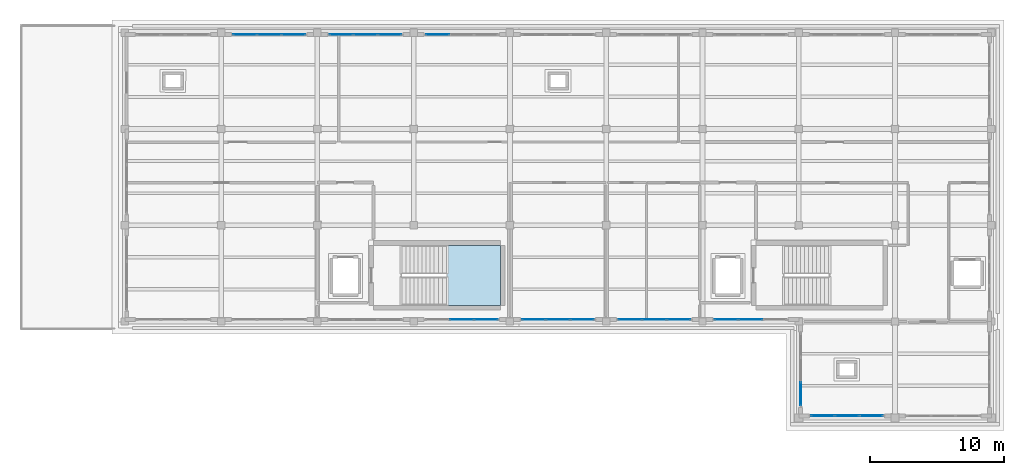
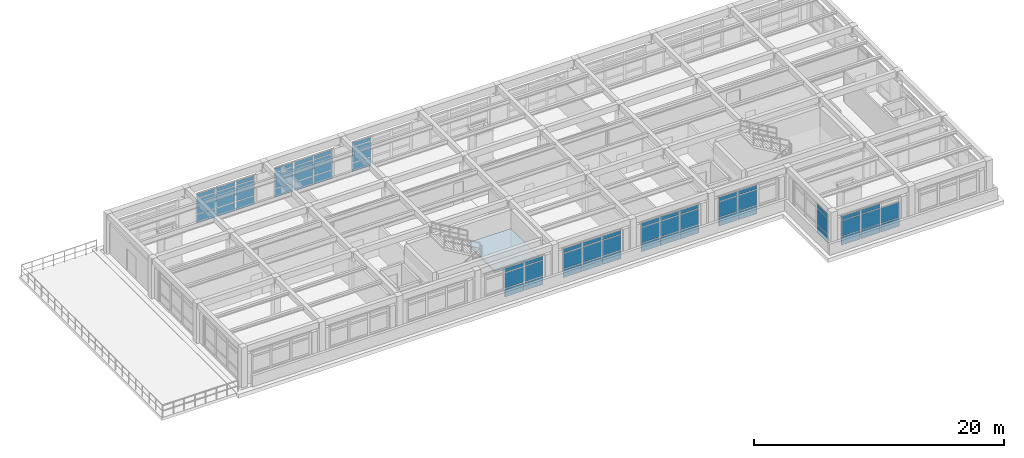
# One storey, part 12 of 21: 62 plates, 1 slab, 10 elements without a shape of their own.
"""IFC4 building model written with IfcOpenShell, lengths in metres."""

from ifc_helpers import new_model, si_unit, direction, frame, origin, origin_2d, place, context, subcontext, project, spatial, polyline, rectangle, outline, extrude, material, layer, layer_set, type_object, element, aggregate, save


model = new_model("IFC4")

# Units and contexts
model_context = context("Model", 3, precision=1e-05, world=origin(), true_north=direction((0.0, 1.0)))
body_context = subcontext(model_context, "Body", "Model", "MODEL_VIEW")
ifc_project = project(units=[si_unit("LENGTHUNIT", "METRE"), si_unit("AREAUNIT", "SQUARE_METRE"), si_unit("VOLUMEUNIT", "CUBIC_METRE"), si_unit("PLANEANGLEUNIT", "RADIAN"), si_unit("MASSUNIT", "GRAM", prefix="KILO")], contexts=[model_context])

# Site, building, storey
site_placement = place(None, origin())
site = spatial("IfcSite", under=ifc_project, at=site_placement, CompositionType="ELEMENT")
building_placement = place(site_placement, origin())
building = spatial("IfcBuilding", under=site, at=building_placement, Name="Solenvale Faculty of Natural Sciences", CompositionType="ELEMENT")
storey_placement = place(building_placement, frame((0.0, 0.0, 31.199951171875)))
storey = spatial("IfcBuildingStorey", under=building, at=storey_placement, Name="L07", CompositionType="ELEMENT", Elevation=31.199951171875)

# Curtain wall, plates
ifc_material_1 = material(Name="Anodised bronze aluminium", Category="aluminium")
ifc_layer_1 = layer(ifc_material_1, 0.179931640625)
ifc_layer_set_1 = layer_set([ifc_layer_1], Name="Anodised bronze aluminium")
curtain_wall_type = type_object("IfcCurtainWallType", Name="CW-TWR-MOD", PredefinedType="USERDEFINED", material=ifc_layer_set_1)
curtain_wall_1_placement = place(storey_placement, origin())
curtain_wall_1 = element("IfcCurtainWall", 1, at=curtain_wall_1_placement, inside=storey, type_object=curtain_wall_type, Name="L07 Curtain Wall CW-L07-P1-E2-B6", ObjectType="UNITISED CURTAIN WALL", PredefinedType="USERDEFINED")
ifc_material_2 = material(Name="North-light skylight glass", Category="glass")
ifc_layer_2 = layer(ifc_material_2, 0.028076171875)
ifc_layer_set_2 = layer_set([ifc_layer_2], Name="North-light skylight glass")
plate_type_1 = type_object("IfcPlateType", Name="CWP-PNL-28", PredefinedType="CURTAIN_PANEL", material=ifc_layer_set_2)
plate_1_placement = place(storey_placement, frame((109.785400390625, 115.0576171875, 0.074951171875), z_axis=(0.0, 0.0, 1.0), x_axis=(-1.0, 0.0, 0.0)))
plate_1 = element("IfcPlate", 2, at=plate_1_placement, type_object=plate_type_1, Name="CW-04 panel 3.1", PredefinedType="CURTAIN_PANEL", context=body_context, shape_type="SweptSolid", body=[
    extrude(rectangle(XDim=1.720947265625, YDim=0.028076171875, at=origin_2d()), origin(), (0.0, 0.0, 1.0), 0.78759765625),
])
plate_2_placement = place(storey_placement, frame((109.785400390625, 115.0576171875, 0.9375), z_axis=(0.0, 0.0, 1.0), x_axis=(-1.0, 0.0, 0.0)))
plate_2 = element("IfcPlate", 3, at=plate_2_placement, type_object=plate_type_1, Name="CW-04 panel 3.2", PredefinedType="CURTAIN_PANEL", context=body_context, shape_type="SweptSolid", body=[
    extrude(rectangle(XDim=1.720947265625, YDim=0.028076171875, at=origin_2d()), origin(), (0.0, 0.0, 1.0), 1.485107421875),
])
plate_3_placement = place(storey_placement, frame((109.785400390625, 115.0576171875, 2.49755859375), z_axis=(0.0, 0.0, 1.0), x_axis=(-1.0, 0.0, 0.0)))
plate_3 = element("IfcPlate", 4, at=plate_3_placement, type_object=plate_type_1, Name="CW-04 panel 3.3", PredefinedType="CURTAIN_PANEL", context=body_context, shape_type="SweptSolid", body=[
    extrude(rectangle(XDim=1.720947265625, YDim=0.028076171875, at=origin_2d()), origin(), (0.0, 0.0, 1.0), 0.387451171875),
])
aggregate(curtain_wall_1, [plate_1, plate_2, plate_3])

curtain_wall_2_placement = place(storey_placement, origin())
curtain_wall_2 = element("IfcCurtainWall", 5, at=curtain_wall_2_placement, inside=storey, type_object=curtain_wall_type, Name="L07 Curtain Wall CW-L07-P1-E4-B4", ObjectType="UNITISED CURTAIN WALL", PredefinedType="USERDEFINED")
plate_4_placement = place(storey_placement, frame((111.60009765625, 93.742431640625, 0.074951171875), z_axis=(0.0, 0.0, 1.0), x_axis=(1.0, 0.0, 0.0)))
plate_4 = element("IfcPlate", 6, at=plate_4_placement, type_object=plate_type_1, Name="CW-04 panel 2.1", PredefinedType="CURTAIN_PANEL", context=body_context, shape_type="SweptSolid", body=[
    extrude(rectangle(XDim=1.75830078125, YDim=0.028076171875, at=origin_2d()), origin(), (0.0, 0.0, 1.0), 0.78759765625),
])
plate_5_placement = place(storey_placement, frame((111.60009765625, 93.742431640625, 0.9375), z_axis=(0.0, 0.0, 1.0), x_axis=(1.0, 0.0, 0.0)))
plate_5 = element("IfcPlate", 7, at=plate_5_placement, type_object=plate_type_1, Name="CW-04 panel 2.2", PredefinedType="CURTAIN_PANEL", context=body_context, shape_type="SweptSolid", body=[
    extrude(rectangle(XDim=1.75830078125, YDim=0.028076171875, at=origin_2d()), origin(), (0.0, 0.0, 1.0), 1.485107421875),
])
plate_6_placement = place(storey_placement, frame((111.60009765625, 93.742431640625, 2.49755859375), z_axis=(0.0, 0.0, 1.0), x_axis=(1.0, 0.0, 0.0)))
plate_6 = element("IfcPlate", 8, at=plate_6_placement, type_object=plate_type_1, Name="CW-04 panel 2.3", PredefinedType="CURTAIN_PANEL", context=body_context, shape_type="SweptSolid", body=[
    extrude(rectangle(XDim=1.75830078125, YDim=0.028076171875, at=origin_2d()), origin(), (0.0, 0.0, 1.0), 0.387451171875),
])
plate_7_placement = place(storey_placement, frame((113.41455078125, 93.742431640625, 0.074951171875), z_axis=(0.0, 0.0, 1.0), x_axis=(1.0, 0.0, 0.0)))
plate_7 = element("IfcPlate", 9, at=plate_7_placement, type_object=plate_type_1, Name="CW-04 panel 3.1", PredefinedType="CURTAIN_PANEL", context=body_context, shape_type="SweptSolid", body=[
    extrude(rectangle(XDim=1.720947265625, YDim=0.028076171875, at=origin_2d()), origin(), (0.0, 0.0, 1.0), 0.78759765625),
])
plate_8_placement = place(storey_placement, frame((113.41455078125, 93.742431640625, 0.9375), z_axis=(0.0, 0.0, 1.0), x_axis=(1.0, 0.0, 0.0)))
plate_8 = element("IfcPlate", 10, at=plate_8_placement, type_object=plate_type_1, Name="CW-04 panel 3.2", PredefinedType="CURTAIN_PANEL", context=body_context, shape_type="SweptSolid", body=[
    extrude(rectangle(XDim=1.720947265625, YDim=0.028076171875, at=origin_2d()), origin(), (0.0, 0.0, 1.0), 1.485107421875),
])
plate_9_placement = place(storey_placement, frame((113.41455078125, 93.742431640625, 2.49755859375), z_axis=(0.0, 0.0, 1.0), x_axis=(1.0, 0.0, 0.0)))
plate_9 = element("IfcPlate", 11, at=plate_9_placement, type_object=plate_type_1, Name="CW-04 panel 3.3", PredefinedType="CURTAIN_PANEL", context=body_context, shape_type="SweptSolid", body=[
    extrude(rectangle(XDim=1.720947265625, YDim=0.028076171875, at=origin_2d()), origin(), (0.0, 0.0, 1.0), 0.387451171875),
])
aggregate(curtain_wall_2, [plate_4, plate_5, plate_6, plate_7, plate_8, plate_9])

curtain_wall_3_placement = place(storey_placement, origin())
curtain_wall_3 = element("IfcCurtainWall", 12, at=curtain_wall_3_placement, inside=storey, type_object=curtain_wall_type, Name="L07 Curtain Wall CW-L07-P1-E2-B7", ObjectType="UNITISED CURTAIN WALL", PredefinedType="USERDEFINED")
ifc_material_3 = material(Name="Triple low-E insulated glass", Category="glass")
ifc_layer_3 = layer(ifc_material_3, 0.031982421875)
ifc_layer_set_3 = layer_set([ifc_layer_3], Name="Triple low-E insulated glass")
plate_type_2 = type_object("IfcPlateType", Name="CWP-PNL-32", PredefinedType="CURTAIN_PANEL", material=ifc_layer_set_3)
plate_10_placement = place(storey_placement, frame((106.214599609375, 115.0576171875, 0.074951171875), z_axis=(0.0, 0.0, 1.0), x_axis=(-1.0, 0.0, 0.0)))
plate_10 = element("IfcPlate", 13, at=plate_10_placement, type_object=plate_type_2, Name="CW-04 panel 1.1", PredefinedType="CURTAIN_PANEL", context=body_context, shape_type="SweptSolid", body=[
    extrude(rectangle(XDim=1.720947265625, YDim=0.031982421875, at=origin_2d()), origin(), (0.0, 0.0, 1.0), 0.78759765625),
])
plate_11_placement = place(storey_placement, frame((106.214599609375, 115.0576171875, 0.9375), z_axis=(0.0, 0.0, 1.0), x_axis=(-1.0, 0.0, 0.0)))
plate_11 = element("IfcPlate", 14, at=plate_11_placement, type_object=plate_type_2, Name="CW-04 panel 1.2", PredefinedType="CURTAIN_PANEL", context=body_context, shape_type="SweptSolid", body=[
    extrude(rectangle(XDim=1.720947265625, YDim=0.031982421875, at=origin_2d()), origin(), (0.0, 0.0, 1.0), 1.485107421875),
])
plate_12_placement = place(storey_placement, frame((106.214599609375, 115.0576171875, 2.49755859375), z_axis=(0.0, 0.0, 1.0), x_axis=(-1.0, 0.0, 0.0)))
plate_12 = element("IfcPlate", 15, at=plate_12_placement, type_object=plate_type_2, Name="CW-04 panel 1.3", PredefinedType="CURTAIN_PANEL", context=body_context, shape_type="SweptSolid", body=[
    extrude(rectangle(XDim=1.720947265625, YDim=0.031982421875, at=origin_2d()), origin(), (0.0, 0.0, 1.0), 0.387451171875),
])
plate_13_placement = place(storey_placement, frame((104.39990234375, 115.0576171875, 0.074951171875), z_axis=(0.0, 0.0, 1.0), x_axis=(-1.0, 0.0, 0.0)))
plate_13 = element("IfcPlate", 16, at=plate_13_placement, type_object=plate_type_2, Name="CW-04 panel 2.1", PredefinedType="CURTAIN_PANEL", context=body_context, shape_type="SweptSolid", body=[
    extrude(rectangle(XDim=1.75830078125, YDim=0.031982421875, at=origin_2d()), origin(), (0.0, 0.0, 1.0), 0.78759765625),
])
plate_14_placement = place(storey_placement, frame((104.39990234375, 115.0576171875, 0.9375), z_axis=(0.0, 0.0, 1.0), x_axis=(-1.0, 0.0, 0.0)))
plate_14 = element("IfcPlate", 17, at=plate_14_placement, type_object=plate_type_2, Name="CW-04 panel 2.2", PredefinedType="CURTAIN_PANEL", context=body_context, shape_type="SweptSolid", body=[
    extrude(rectangle(XDim=1.75830078125, YDim=0.031982421875, at=origin_2d()), origin(), (0.0, 0.0, 1.0), 1.485107421875),
])
plate_15_placement = place(storey_placement, frame((104.39990234375, 115.0576171875, 2.49755859375), z_axis=(0.0, 0.0, 1.0), x_axis=(-1.0, 0.0, 0.0)))
plate_15 = element("IfcPlate", 18, at=plate_15_placement, type_object=plate_type_2, Name="CW-04 panel 2.3", PredefinedType="CURTAIN_PANEL", context=body_context, shape_type="SweptSolid", body=[
    extrude(rectangle(XDim=1.75830078125, YDim=0.031982421875, at=origin_2d()), origin(), (0.0, 0.0, 1.0), 0.387451171875),
])
plate_16_placement = place(storey_placement, frame((102.58544921875, 115.0576171875, 0.074951171875), z_axis=(0.0, 0.0, 1.0), x_axis=(-1.0, 0.0, 0.0)))
plate_16 = element("IfcPlate", 19, at=plate_16_placement, type_object=plate_type_2, Name="CW-04 panel 3.1", PredefinedType="CURTAIN_PANEL", context=body_context, shape_type="SweptSolid", body=[
    extrude(rectangle(XDim=1.720947265625, YDim=0.031982421875, at=origin_2d()), origin(), (0.0, 0.0, 1.0), 0.78759765625),
])
plate_17_placement = place(storey_placement, frame((102.58544921875, 115.0576171875, 0.9375), z_axis=(0.0, 0.0, 1.0), x_axis=(-1.0, 0.0, 0.0)))
plate_17 = element("IfcPlate", 20, at=plate_17_placement, type_object=plate_type_2, Name="CW-04 panel 3.2", PredefinedType="CURTAIN_PANEL", context=body_context, shape_type="SweptSolid", body=[
    extrude(rectangle(XDim=1.720947265625, YDim=0.031982421875, at=origin_2d()), origin(), (0.0, 0.0, 1.0), 1.485107421875),
])
plate_18_placement = place(storey_placement, frame((102.58544921875, 115.0576171875, 2.49755859375), z_axis=(0.0, 0.0, 1.0), x_axis=(-1.0, 0.0, 0.0)))
plate_18 = element("IfcPlate", 21, at=plate_18_placement, type_object=plate_type_2, Name="CW-04 panel 3.3", PredefinedType="CURTAIN_PANEL", context=body_context, shape_type="SweptSolid", body=[
    extrude(rectangle(XDim=1.720947265625, YDim=0.031982421875, at=origin_2d()), origin(), (0.0, 0.0, 1.0), 0.387451171875),
])
aggregate(curtain_wall_3, [plate_10, plate_11, plate_12, plate_13, plate_14, plate_15, plate_16, plate_17, plate_18])

curtain_wall_4_placement = place(storey_placement, origin())
curtain_wall_4 = element("IfcCurtainWall", 22, at=curtain_wall_4_placement, inside=storey, type_object=curtain_wall_type, Name="L07 Curtain Wall CW-L07-P1-E4-B5", ObjectType="UNITISED CURTAIN WALL", PredefinedType="USERDEFINED")
plate_19_placement = place(storey_placement, frame((116.9853515625, 93.742431640625, 0.074951171875), z_axis=(0.0, 0.0, 1.0), x_axis=(1.0, 0.0, 0.0)))
plate_19 = element("IfcPlate", 23, at=plate_19_placement, type_object=plate_type_2, Name="CW-04 panel 1.1", PredefinedType="CURTAIN_PANEL", context=body_context, shape_type="SweptSolid", body=[
    extrude(rectangle(XDim=1.720947265625, YDim=0.031982421875, at=origin_2d()), origin(), (0.0, 0.0, 1.0), 0.78759765625),
])
plate_20_placement = place(storey_placement, frame((116.9853515625, 93.742431640625, 0.9375), z_axis=(0.0, 0.0, 1.0), x_axis=(1.0, 0.0, 0.0)))
plate_20 = element("IfcPlate", 24, at=plate_20_placement, type_object=plate_type_2, Name="CW-04 panel 1.2", PredefinedType="CURTAIN_PANEL", context=body_context, shape_type="SweptSolid", body=[
    extrude(rectangle(XDim=1.720947265625, YDim=0.031982421875, at=origin_2d()), origin(), (0.0, 0.0, 1.0), 1.485107421875),
])
plate_21_placement = place(storey_placement, frame((116.9853515625, 93.742431640625, 2.49755859375), z_axis=(0.0, 0.0, 1.0), x_axis=(1.0, 0.0, 0.0)))
plate_21 = element("IfcPlate", 25, at=plate_21_placement, type_object=plate_type_2, Name="CW-04 panel 1.3", PredefinedType="CURTAIN_PANEL", context=body_context, shape_type="SweptSolid", body=[
    extrude(rectangle(XDim=1.720947265625, YDim=0.031982421875, at=origin_2d()), origin(), (0.0, 0.0, 1.0), 0.387451171875),
])
plate_22_placement = place(storey_placement, frame((118.800048828125, 93.742431640625, 0.074951171875), z_axis=(0.0, 0.0, 1.0), x_axis=(1.0, 0.0, 0.0)))
plate_22 = element("IfcPlate", 26, at=plate_22_placement, type_object=plate_type_2, Name="CW-04 panel 2.1", PredefinedType="CURTAIN_PANEL", context=body_context, shape_type="SweptSolid", body=[
    extrude(rectangle(XDim=1.75830078125, YDim=0.031982421875, at=origin_2d()), origin(), (0.0, 0.0, 1.0), 0.78759765625),
])
plate_23_placement = place(storey_placement, frame((118.800048828125, 93.742431640625, 0.9375), z_axis=(0.0, 0.0, 1.0), x_axis=(1.0, 0.0, 0.0)))
plate_23 = element("IfcPlate", 27, at=plate_23_placement, type_object=plate_type_2, Name="CW-04 panel 2.2", PredefinedType="CURTAIN_PANEL", context=body_context, shape_type="SweptSolid", body=[
    extrude(rectangle(XDim=1.75830078125, YDim=0.031982421875, at=origin_2d()), origin(), (0.0, 0.0, 1.0), 1.485107421875),
])
plate_24_placement = place(storey_placement, frame((118.800048828125, 93.742431640625, 2.49755859375), z_axis=(0.0, 0.0, 1.0), x_axis=(1.0, 0.0, 0.0)))
plate_24 = element("IfcPlate", 28, at=plate_24_placement, type_object=plate_type_2, Name="CW-04 panel 2.3", PredefinedType="CURTAIN_PANEL", context=body_context, shape_type="SweptSolid", body=[
    extrude(rectangle(XDim=1.75830078125, YDim=0.031982421875, at=origin_2d()), origin(), (0.0, 0.0, 1.0), 0.387451171875),
])
plate_25_placement = place(storey_placement, frame((120.614501953125, 93.742431640625, 0.074951171875), z_axis=(0.0, 0.0, 1.0), x_axis=(1.0, 0.0, 0.0)))
plate_25 = element("IfcPlate", 29, at=plate_25_placement, type_object=plate_type_2, Name="CW-04 panel 3.1", PredefinedType="CURTAIN_PANEL", context=body_context, shape_type="SweptSolid", body=[
    extrude(rectangle(XDim=1.720947265625, YDim=0.031982421875, at=origin_2d()), origin(), (0.0, 0.0, 1.0), 0.78759765625),
])
plate_26_placement = place(storey_placement, frame((120.614501953125, 93.742431640625, 0.9375), z_axis=(0.0, 0.0, 1.0), x_axis=(1.0, 0.0, 0.0)))
plate_26 = element("IfcPlate", 30, at=plate_26_placement, type_object=plate_type_2, Name="CW-04 panel 3.2", PredefinedType="CURTAIN_PANEL", context=body_context, shape_type="SweptSolid", body=[
    extrude(rectangle(XDim=1.720947265625, YDim=0.031982421875, at=origin_2d()), origin(), (0.0, 0.0, 1.0), 1.485107421875),
])
plate_27_placement = place(storey_placement, frame((120.614501953125, 93.742431640625, 2.49755859375), z_axis=(0.0, 0.0, 1.0), x_axis=(1.0, 0.0, 0.0)))
plate_27 = element("IfcPlate", 31, at=plate_27_placement, type_object=plate_type_2, Name="CW-04 panel 3.3", PredefinedType="CURTAIN_PANEL", context=body_context, shape_type="SweptSolid", body=[
    extrude(rectangle(XDim=1.720947265625, YDim=0.031982421875, at=origin_2d()), origin(), (0.0, 0.0, 1.0), 0.387451171875),
])
aggregate(curtain_wall_4, [plate_19, plate_20, plate_21, plate_22, plate_23, plate_24, plate_25, plate_26, plate_27])

curtain_wall_5_placement = place(storey_placement, origin())
curtain_wall_5 = element("IfcCurtainWall", 32, at=curtain_wall_5_placement, inside=storey, type_object=curtain_wall_type, Name="L07 Curtain Wall CW-L07-P1-E2-B8", ObjectType="UNITISED CURTAIN WALL", PredefinedType="USERDEFINED")
ifc_layer_4 = layer(ifc_material_3, 0.035888671875)
ifc_layer_set_4 = layer_set([ifc_layer_4], Name="Triple low-E insulated glass")
plate_type_3 = type_object("IfcPlateType", Name="CWP-PNL-36", PredefinedType="CURTAIN_PANEL", material=ifc_layer_set_4)
plate_28_placement = place(storey_placement, frame((99.0146484375, 115.0576171875, 0.074951171875), z_axis=(0.0, 0.0, 1.0), x_axis=(-1.0, 0.0, 0.0)))
plate_28 = element("IfcPlate", 33, at=plate_28_placement, type_object=plate_type_3, Name="CW-04 panel 1.1", PredefinedType="CURTAIN_PANEL", context=body_context, shape_type="SweptSolid", body=[
    extrude(rectangle(XDim=1.720947265625, YDim=0.035888671875, at=origin_2d()), origin(), (0.0, 0.0, 1.0), 0.78759765625),
])
plate_29_placement = place(storey_placement, frame((99.0146484375, 115.0576171875, 0.9375), z_axis=(0.0, 0.0, 1.0), x_axis=(-1.0, 0.0, 0.0)))
plate_29 = element("IfcPlate", 34, at=plate_29_placement, type_object=plate_type_3, Name="CW-04 panel 1.2", PredefinedType="CURTAIN_PANEL", context=body_context, shape_type="SweptSolid", body=[
    extrude(rectangle(XDim=1.720947265625, YDim=0.035888671875, at=origin_2d()), origin(), (0.0, 0.0, 1.0), 1.485107421875),
])
plate_30_placement = place(storey_placement, frame((99.0146484375, 115.0576171875, 2.49755859375), z_axis=(0.0, 0.0, 1.0), x_axis=(-1.0, 0.0, 0.0)))
plate_30 = element("IfcPlate", 35, at=plate_30_placement, type_object=plate_type_3, Name="CW-04 panel 1.3", PredefinedType="CURTAIN_PANEL", context=body_context, shape_type="SweptSolid", body=[
    extrude(rectangle(XDim=1.720947265625, YDim=0.035888671875, at=origin_2d()), origin(), (0.0, 0.0, 1.0), 0.387451171875),
])
plate_31_placement = place(storey_placement, frame((97.199951171875, 115.0576171875, 0.074951171875), z_axis=(0.0, 0.0, 1.0), x_axis=(-1.0, 0.0, 0.0)))
plate_31 = element("IfcPlate", 36, at=plate_31_placement, type_object=plate_type_3, Name="CW-04 panel 2.1", PredefinedType="CURTAIN_PANEL", context=body_context, shape_type="SweptSolid", body=[
    extrude(rectangle(XDim=1.75830078125, YDim=0.035888671875, at=origin_2d()), origin(), (0.0, 0.0, 1.0), 0.78759765625),
])
plate_32_placement = place(storey_placement, frame((97.199951171875, 115.0576171875, 0.9375), z_axis=(0.0, 0.0, 1.0), x_axis=(-1.0, 0.0, 0.0)))
plate_32 = element("IfcPlate", 37, at=plate_32_placement, type_object=plate_type_3, Name="CW-04 panel 2.2", PredefinedType="CURTAIN_PANEL", context=body_context, shape_type="SweptSolid", body=[
    extrude(rectangle(XDim=1.75830078125, YDim=0.035888671875, at=origin_2d()), origin(), (0.0, 0.0, 1.0), 1.485107421875),
])
plate_33_placement = place(storey_placement, frame((97.199951171875, 115.0576171875, 2.49755859375), z_axis=(0.0, 0.0, 1.0), x_axis=(-1.0, 0.0, 0.0)))
plate_33 = element("IfcPlate", 38, at=plate_33_placement, type_object=plate_type_3, Name="CW-04 panel 2.3", PredefinedType="CURTAIN_PANEL", context=body_context, shape_type="SweptSolid", body=[
    extrude(rectangle(XDim=1.75830078125, YDim=0.035888671875, at=origin_2d()), origin(), (0.0, 0.0, 1.0), 0.387451171875),
])
plate_34_placement = place(storey_placement, frame((95.385498046875, 115.0576171875, 0.074951171875), z_axis=(0.0, 0.0, 1.0), x_axis=(-1.0, 0.0, 0.0)))
plate_34 = element("IfcPlate", 39, at=plate_34_placement, type_object=plate_type_3, Name="CW-04 panel 3.1", PredefinedType="CURTAIN_PANEL", context=body_context, shape_type="SweptSolid", body=[
    extrude(rectangle(XDim=1.720947265625, YDim=0.035888671875, at=origin_2d()), origin(), (0.0, 0.0, 1.0), 0.78759765625),
])
plate_35_placement = place(storey_placement, frame((95.385498046875, 115.0576171875, 0.9375), z_axis=(0.0, 0.0, 1.0), x_axis=(-1.0, 0.0, 0.0)))
plate_35 = element("IfcPlate", 40, at=plate_35_placement, type_object=plate_type_3, Name="CW-04 panel 3.2", PredefinedType="CURTAIN_PANEL", context=body_context, shape_type="SweptSolid", body=[
    extrude(rectangle(XDim=1.720947265625, YDim=0.035888671875, at=origin_2d()), origin(), (0.0, 0.0, 1.0), 1.485107421875),
])
plate_36_placement = place(storey_placement, frame((95.385498046875, 115.0576171875, 2.49755859375), z_axis=(0.0, 0.0, 1.0), x_axis=(-1.0, 0.0, 0.0)))
plate_36 = element("IfcPlate", 41, at=plate_36_placement, type_object=plate_type_3, Name="CW-04 panel 3.3", PredefinedType="CURTAIN_PANEL", context=body_context, shape_type="SweptSolid", body=[
    extrude(rectangle(XDim=1.720947265625, YDim=0.035888671875, at=origin_2d()), origin(), (0.0, 0.0, 1.0), 0.387451171875),
])
aggregate(curtain_wall_5, [plate_28, plate_29, plate_30, plate_31, plate_32, plate_33, plate_34, plate_35, plate_36])

curtain_wall_6_placement = place(storey_placement, origin())
curtain_wall_6 = element("IfcCurtainWall", 42, at=curtain_wall_6_placement, inside=storey, type_object=curtain_wall_type, Name="L07 Curtain Wall CW-L07-P1-E4-B6", ObjectType="UNITISED CURTAIN WALL", PredefinedType="USERDEFINED")
plate_37_placement = place(storey_placement, frame((124.185302734375, 93.742431640625, 0.074951171875), z_axis=(0.0, 0.0, 1.0), x_axis=(1.0, 0.0, 0.0)))
plate_37 = element("IfcPlate", 43, at=plate_37_placement, type_object=plate_type_3, Name="CW-04 panel 1.1", PredefinedType="CURTAIN_PANEL", context=body_context, shape_type="SweptSolid", body=[
    extrude(rectangle(XDim=1.720947265625, YDim=0.035888671875, at=origin_2d()), origin(), (0.0, 0.0, 1.0), 0.78759765625),
])
plate_38_placement = place(storey_placement, frame((124.185302734375, 93.742431640625, 0.9375), z_axis=(0.0, 0.0, 1.0), x_axis=(1.0, 0.0, 0.0)))
plate_38 = element("IfcPlate", 44, at=plate_38_placement, type_object=plate_type_3, Name="CW-04 panel 1.2", PredefinedType="CURTAIN_PANEL", context=body_context, shape_type="SweptSolid", body=[
    extrude(rectangle(XDim=1.720947265625, YDim=0.035888671875, at=origin_2d()), origin(), (0.0, 0.0, 1.0), 1.485107421875),
])
plate_39_placement = place(storey_placement, frame((124.185302734375, 93.742431640625, 2.49755859375), z_axis=(0.0, 0.0, 1.0), x_axis=(1.0, 0.0, 0.0)))
plate_39 = element("IfcPlate", 45, at=plate_39_placement, type_object=plate_type_3, Name="CW-04 panel 1.3", PredefinedType="CURTAIN_PANEL", context=body_context, shape_type="SweptSolid", body=[
    extrude(rectangle(XDim=1.720947265625, YDim=0.035888671875, at=origin_2d()), origin(), (0.0, 0.0, 1.0), 0.387451171875),
])
plate_40_placement = place(storey_placement, frame((126.0, 93.742431640625, 0.074951171875), z_axis=(0.0, 0.0, 1.0), x_axis=(1.0, 0.0, 0.0)))
plate_40 = element("IfcPlate", 46, at=plate_40_placement, type_object=plate_type_3, Name="CW-04 panel 2.1", PredefinedType="CURTAIN_PANEL", context=body_context, shape_type="SweptSolid", body=[
    extrude(rectangle(XDim=1.75830078125, YDim=0.035888671875, at=origin_2d()), origin(), (0.0, 0.0, 1.0), 0.78759765625),
])
plate_41_placement = place(storey_placement, frame((126.0, 93.742431640625, 0.9375), z_axis=(0.0, 0.0, 1.0), x_axis=(1.0, 0.0, 0.0)))
plate_41 = element("IfcPlate", 47, at=plate_41_placement, type_object=plate_type_3, Name="CW-04 panel 2.2", PredefinedType="CURTAIN_PANEL", context=body_context, shape_type="SweptSolid", body=[
    extrude(rectangle(XDim=1.75830078125, YDim=0.035888671875, at=origin_2d()), origin(), (0.0, 0.0, 1.0), 1.485107421875),
])
plate_42_placement = place(storey_placement, frame((126.0, 93.742431640625, 2.49755859375), z_axis=(0.0, 0.0, 1.0), x_axis=(1.0, 0.0, 0.0)))
plate_42 = element("IfcPlate", 48, at=plate_42_placement, type_object=plate_type_3, Name="CW-04 panel 2.3", PredefinedType="CURTAIN_PANEL", context=body_context, shape_type="SweptSolid", body=[
    extrude(rectangle(XDim=1.75830078125, YDim=0.035888671875, at=origin_2d()), origin(), (0.0, 0.0, 1.0), 0.387451171875),
])
plate_43_placement = place(storey_placement, frame((127.814697265625, 93.742431640625, 0.074951171875), z_axis=(0.0, 0.0, 1.0), x_axis=(1.0, 0.0, 0.0)))
plate_43 = element("IfcPlate", 49, at=plate_43_placement, type_object=plate_type_3, Name="CW-04 panel 3.1", PredefinedType="CURTAIN_PANEL", context=body_context, shape_type="SweptSolid", body=[
    extrude(rectangle(XDim=1.720947265625, YDim=0.035888671875, at=origin_2d()), origin(), (0.0, 0.0, 1.0), 0.78759765625),
])
plate_44_placement = place(storey_placement, frame((127.814697265625, 93.742431640625, 0.9375), z_axis=(0.0, 0.0, 1.0), x_axis=(1.0, 0.0, 0.0)))
plate_44 = element("IfcPlate", 50, at=plate_44_placement, type_object=plate_type_3, Name="CW-04 panel 3.2", PredefinedType="CURTAIN_PANEL", context=body_context, shape_type="SweptSolid", body=[
    extrude(rectangle(XDim=1.720947265625, YDim=0.035888671875, at=origin_2d()), origin(), (0.0, 0.0, 1.0), 1.485107421875),
])
plate_45_placement = place(storey_placement, frame((127.814697265625, 93.742431640625, 2.49755859375), z_axis=(0.0, 0.0, 1.0), x_axis=(1.0, 0.0, 0.0)))
plate_45 = element("IfcPlate", 51, at=plate_45_placement, type_object=plate_type_3, Name="CW-04 panel 3.3", PredefinedType="CURTAIN_PANEL", context=body_context, shape_type="SweptSolid", body=[
    extrude(rectangle(XDim=1.720947265625, YDim=0.035888671875, at=origin_2d()), origin(), (0.0, 0.0, 1.0), 0.387451171875),
])
aggregate(curtain_wall_6, [plate_37, plate_38, plate_39, plate_40, plate_41, plate_42, plate_43, plate_44, plate_45])

curtain_wall_7_placement = place(storey_placement, origin())
curtain_wall_7 = element("IfcCurtainWall", 52, at=curtain_wall_7_placement, inside=storey, type_object=curtain_wall_type, Name="L07 Curtain Wall CW-L07-P1-E4-B7", ObjectType="UNITISED CURTAIN WALL", PredefinedType="USERDEFINED")
ifc_layer_5 = layer(ifc_material_3, 0.0400390625)
ifc_layer_set_5 = layer_set([ifc_layer_5], Name="Triple low-E insulated glass")
plate_type_4 = type_object("IfcPlateType", Name="CWP-PNL-40", PredefinedType="CURTAIN_PANEL", material=ifc_layer_set_5)
plate_46_placement = place(storey_placement, frame((131.385498046875, 93.742431640625, 0.074951171875), z_axis=(0.0, 0.0, 1.0), x_axis=(1.0, 0.0, 0.0)))
plate_46 = element("IfcPlate", 53, at=plate_46_placement, type_object=plate_type_4, Name="CW-04 panel 1.1", PredefinedType="CURTAIN_PANEL", context=body_context, shape_type="SweptSolid", body=[
    extrude(rectangle(XDim=1.720947265625, YDim=0.0400390625, at=origin_2d()), origin(), (0.0, 0.0, 1.0), 0.78759765625),
])
plate_47_placement = place(storey_placement, frame((131.385498046875, 93.742431640625, 0.9375), z_axis=(0.0, 0.0, 1.0), x_axis=(1.0, 0.0, 0.0)))
plate_47 = element("IfcPlate", 54, at=plate_47_placement, type_object=plate_type_4, Name="CW-04 panel 1.2", PredefinedType="CURTAIN_PANEL", context=body_context, shape_type="SweptSolid", body=[
    extrude(rectangle(XDim=1.720947265625, YDim=0.0400390625, at=origin_2d()), origin(), (0.0, 0.0, 1.0), 1.485107421875),
])
plate_48_placement = place(storey_placement, frame((131.385498046875, 93.742431640625, 2.49755859375), z_axis=(0.0, 0.0, 1.0), x_axis=(1.0, 0.0, 0.0)))
plate_48 = element("IfcPlate", 55, at=plate_48_placement, type_object=plate_type_4, Name="CW-04 panel 1.3", PredefinedType="CURTAIN_PANEL", context=body_context, shape_type="SweptSolid", body=[
    extrude(rectangle(XDim=1.720947265625, YDim=0.0400390625, at=origin_2d()), origin(), (0.0, 0.0, 1.0), 0.387451171875),
])
plate_49_placement = place(storey_placement, frame((133.199951171875, 93.742431640625, 0.074951171875), z_axis=(0.0, 0.0, 1.0), x_axis=(1.0, 0.0, 0.0)))
plate_49 = element("IfcPlate", 56, at=plate_49_placement, type_object=plate_type_4, Name="CW-04 panel 2.1", PredefinedType="CURTAIN_PANEL", context=body_context, shape_type="SweptSolid", body=[
    extrude(rectangle(XDim=1.75830078125, YDim=0.0400390625, at=origin_2d()), origin(), (0.0, 0.0, 1.0), 0.78759765625),
])
plate_50_placement = place(storey_placement, frame((133.199951171875, 93.742431640625, 0.9375), z_axis=(0.0, 0.0, 1.0), x_axis=(1.0, 0.0, 0.0)))
plate_50 = element("IfcPlate", 57, at=plate_50_placement, type_object=plate_type_4, Name="CW-04 panel 2.2", PredefinedType="CURTAIN_PANEL", context=body_context, shape_type="SweptSolid", body=[
    extrude(rectangle(XDim=1.75830078125, YDim=0.0400390625, at=origin_2d()), origin(), (0.0, 0.0, 1.0), 1.485107421875),
])
plate_51_placement = place(storey_placement, frame((133.199951171875, 93.742431640625, 2.49755859375), z_axis=(0.0, 0.0, 1.0), x_axis=(1.0, 0.0, 0.0)))
plate_51 = element("IfcPlate", 58, at=plate_51_placement, type_object=plate_type_4, Name="CW-04 panel 2.3", PredefinedType="CURTAIN_PANEL", context=body_context, shape_type="SweptSolid", body=[
    extrude(rectangle(XDim=1.75830078125, YDim=0.0400390625, at=origin_2d()), origin(), (0.0, 0.0, 1.0), 0.387451171875),
])
aggregate(curtain_wall_7, [plate_46, plate_47, plate_48, plate_49, plate_50, plate_51])

curtain_wall_8_placement = place(storey_placement, origin())
curtain_wall_8 = element("IfcCurtainWall", 59, at=curtain_wall_8_placement, inside=storey, type_object=curtain_wall_type, Name="L07 Curtain Wall CW-L07-P1-E5-B1", ObjectType="UNITISED CURTAIN WALL", PredefinedType="USERDEFINED")
ifc_layer_6 = layer(ifc_material_1, 0.053955078125)
ifc_layer_set_6 = layer_set([ifc_layer_6], Name="Anodised bronze aluminium")
plate_type_5 = type_object("IfcPlateType", Name="CWP-PNL-54", PredefinedType="CURTAIN_PANEL", material=ifc_layer_set_6)
plate_52_placement = place(storey_placement, frame((136.9423828125, 88.185302734375, 0.074951171875), z_axis=(0.0, 0.0, 1.0), x_axis=(0.0, -1.0, 0.0)))
plate_52 = element("IfcPlate", 60, at=plate_52_placement, type_object=plate_type_5, Name="CW-04 panel 3.1", PredefinedType="CURTAIN_PANEL", context=body_context, shape_type="SweptSolid", body=[
    extrude(rectangle(XDim=1.720947265625, YDim=0.053955078125, at=origin_2d()), origin(), (0.0, 0.0, 1.0), 0.78759765625),
])
plate_53_placement = place(storey_placement, frame((136.9423828125, 88.185302734375, 0.9375), z_axis=(0.0, 0.0, 1.0), x_axis=(0.0, -1.0, 0.0)))
plate_53 = element("IfcPlate", 61, at=plate_53_placement, type_object=plate_type_5, Name="CW-04 panel 3.2", PredefinedType="CURTAIN_PANEL", context=body_context, shape_type="SweptSolid", body=[
    extrude(rectangle(XDim=1.720947265625, YDim=0.053955078125, at=origin_2d()), origin(), (0.0, 0.0, 1.0), 1.485107421875),
])
plate_54_placement = place(storey_placement, frame((136.9423828125, 88.185302734375, 2.49755859375), z_axis=(0.0, 0.0, 1.0), x_axis=(0.0, -1.0, 0.0)))
plate_54 = element("IfcPlate", 62, at=plate_54_placement, type_object=plate_type_5, Name="CW-04 panel 3.3", PredefinedType="CURTAIN_PANEL", context=body_context, shape_type="SweptSolid", body=[
    extrude(rectangle(XDim=1.720947265625, YDim=0.053955078125, at=origin_2d()), origin(), (0.0, 0.0, 1.0), 0.387451171875),
])
aggregate(curtain_wall_8, [plate_52, plate_53, plate_54])

curtain_wall_9_placement = place(storey_placement, origin())
curtain_wall_9 = element("IfcCurtainWall", 63, at=curtain_wall_9_placement, inside=storey, type_object=curtain_wall_type, Name="L07 Curtain Wall CW-L07-P1-E6-B1", ObjectType="UNITISED CURTAIN WALL", PredefinedType="USERDEFINED")
ifc_layer_7 = layer(ifc_material_1, 0.06005859375)
ifc_layer_set_7 = layer_set([ifc_layer_7], Name="Anodised bronze aluminium")
plate_type_6 = type_object("IfcPlateType", Name="CWP-PNL-60", PredefinedType="CURTAIN_PANEL", material=ifc_layer_set_7)
plate_55_placement = place(storey_placement, frame((138.58544921875, 86.54248046875, 0.074951171875), z_axis=(0.0, 0.0, 1.0), x_axis=(1.0, 0.0, 0.0)))
plate_55 = element("IfcPlate", 64, at=plate_55_placement, type_object=plate_type_6, Name="CW-04 panel 1.1", PredefinedType="CURTAIN_PANEL", context=body_context, shape_type="SweptSolid", body=[
    extrude(rectangle(XDim=1.720947265625, YDim=0.06005859375, at=origin_2d()), origin(), (0.0, 0.0, 1.0), 0.78759765625),
])
plate_56_placement = place(storey_placement, frame((138.58544921875, 86.54248046875, 0.9375), z_axis=(0.0, 0.0, 1.0), x_axis=(1.0, 0.0, 0.0)))
plate_56 = element("IfcPlate", 65, at=plate_56_placement, type_object=plate_type_6, Name="CW-04 panel 1.2", PredefinedType="CURTAIN_PANEL", context=body_context, shape_type="SweptSolid", body=[
    extrude(rectangle(XDim=1.720947265625, YDim=0.06005859375, at=origin_2d()), origin(), (0.0, 0.0, 1.0), 1.485107421875),
])
plate_57_placement = place(storey_placement, frame((138.58544921875, 86.54248046875, 2.49755859375), z_axis=(0.0, 0.0, 1.0), x_axis=(1.0, 0.0, 0.0)))
plate_57 = element("IfcPlate", 66, at=plate_57_placement, type_object=plate_type_6, Name="CW-04 panel 1.3", PredefinedType="CURTAIN_PANEL", context=body_context, shape_type="SweptSolid", body=[
    extrude(rectangle(XDim=1.720947265625, YDim=0.06005859375, at=origin_2d()), origin(), (0.0, 0.0, 1.0), 0.387451171875),
])
plate_58_placement = place(storey_placement, frame((140.39990234375, 86.54248046875, 0.074951171875), z_axis=(0.0, 0.0, 1.0), x_axis=(1.0, 0.0, 0.0)))
plate_58 = element("IfcPlate", 67, at=plate_58_placement, type_object=plate_type_6, Name="CW-04 panel 2.1", PredefinedType="CURTAIN_PANEL", context=body_context, shape_type="SweptSolid", body=[
    extrude(rectangle(XDim=1.75830078125, YDim=0.06005859375, at=origin_2d()), origin(), (0.0, 0.0, 1.0), 0.78759765625),
])
plate_59_placement = place(storey_placement, frame((140.39990234375, 86.54248046875, 0.9375), z_axis=(0.0, 0.0, 1.0), x_axis=(1.0, 0.0, 0.0)))
plate_59 = element("IfcPlate", 68, at=plate_59_placement, type_object=plate_type_6, Name="CW-04 panel 2.2", PredefinedType="CURTAIN_PANEL", context=body_context, shape_type="SweptSolid", body=[
    extrude(rectangle(XDim=1.75830078125, YDim=0.06005859375, at=origin_2d()), origin(), (0.0, 0.0, 1.0), 1.485107421875),
])
plate_60_placement = place(storey_placement, frame((140.39990234375, 86.54248046875, 2.49755859375), z_axis=(0.0, 0.0, 1.0), x_axis=(1.0, 0.0, 0.0)))
plate_60 = element("IfcPlate", 69, at=plate_60_placement, type_object=plate_type_6, Name="CW-04 panel 2.3", PredefinedType="CURTAIN_PANEL", context=body_context, shape_type="SweptSolid", body=[
    extrude(rectangle(XDim=1.75830078125, YDim=0.06005859375, at=origin_2d()), origin(), (0.0, 0.0, 1.0), 0.387451171875),
])
plate_61_placement = place(storey_placement, frame((142.214599609375, 86.54248046875, 0.074951171875), z_axis=(0.0, 0.0, 1.0), x_axis=(1.0, 0.0, 0.0)))
plate_61 = element("IfcPlate", 70, at=plate_61_placement, type_object=plate_type_6, Name="CW-04 panel 3.1", PredefinedType="CURTAIN_PANEL", context=body_context, shape_type="SweptSolid", body=[
    extrude(rectangle(XDim=1.720947265625, YDim=0.06005859375, at=origin_2d()), origin(), (0.0, 0.0, 1.0), 0.78759765625),
])
plate_62_placement = place(storey_placement, frame((142.214599609375, 86.54248046875, 0.9375), z_axis=(0.0, 0.0, 1.0), x_axis=(1.0, 0.0, 0.0)))
plate_62 = element("IfcPlate", 71, at=plate_62_placement, type_object=plate_type_6, Name="CW-04 panel 3.2", PredefinedType="CURTAIN_PANEL", context=body_context, shape_type="SweptSolid", body=[
    extrude(rectangle(XDim=1.720947265625, YDim=0.06005859375, at=origin_2d()), origin(), (0.0, 0.0, 1.0), 1.485107421875),
])
aggregate(curtain_wall_9, [plate_55, plate_56, plate_57, plate_58, plate_59, plate_60, plate_61, plate_62])

# Stair, slab
ifc_material_4 = material(Name="Concrete 40 MPa", Category="concrete")
stair_type = type_object("IfcStairType", Name="STR-CORE-25R", PredefinedType="DOUBLE_RETURN_STAIR", material=ifc_material_4)
stair_placement = place(storey_placement, origin())
stair = element("IfcStair", 72, at=stair_placement, inside=storey, type_object=stair_type, Name="L07 Protected Exit Stair ST-04", PredefinedType="DOUBLE_RETURN_STAIR")
ifc_layer_8 = layer(ifc_material_4, 0.195068359375)
ifc_layer_set_8 = layer_set([ifc_layer_8], Name="Concrete 40 MPa")
slab_type = type_object("IfcSlabType", Name="SL-LND-195", PredefinedType="LANDING", material=ifc_layer_set_8)
slab_placement = place(storey_placement, frame((0.0, 0.0, 1.900146484375)))
slab = element("IfcSlab", 73, at=slab_placement, type_object=slab_type, Name="ST-04 landing 1", PredefinedType="LANDING", context=body_context, shape_type="SweptSolid", body=[
    extrude(outline(polyline([(110.43994140625, 94.800048828125), (114.5, 94.800048828125), (114.5, 99.300048828125), (110.43994140625, 99.300048828125), (110.43994140625, 94.800048828125)])), origin(), (0.0, 0.0, 1.0), 0.199951171875),
])
aggregate(stair, [slab])

save(model, "model.ifc")
